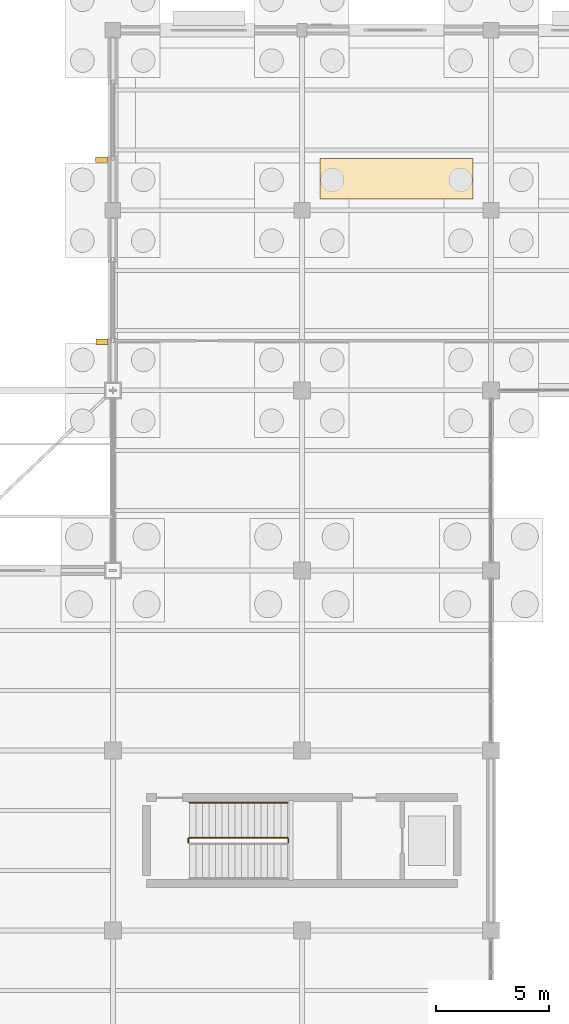
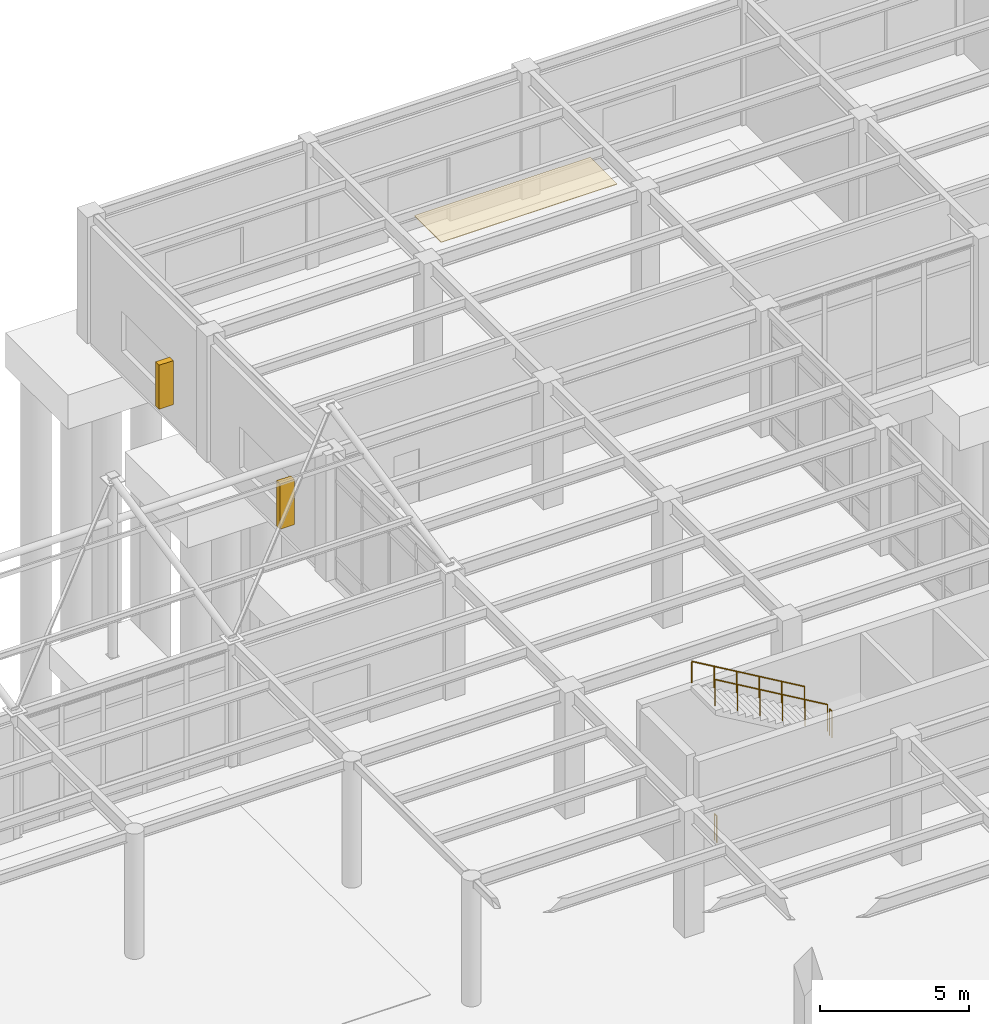
# One storey, part 133 of 138: 4 railings, 2 shading devices, 1 covering.
"""IFC4 building model written with IfcOpenShell, lengths in metres."""

from ifc_helpers import new_model, si_unit, direction, frame, origin, origin_2d, place, context, subcontext, project, spatial, polyline, rectangle, circle, outline, extrude, material, layer, layer_set, type_object, element, save


model = new_model("IFC4")

# Units and contexts
model_context = context("Model", 3, precision=1e-05, world=origin(), true_north=direction((0.0, 1.0)))
body_context = subcontext(model_context, "Body", "Model", "MODEL_VIEW")
ifc_project = project(units=[si_unit("LENGTHUNIT", "METRE"), si_unit("AREAUNIT", "SQUARE_METRE"), si_unit("VOLUMEUNIT", "CUBIC_METRE"), si_unit("PLANEANGLEUNIT", "RADIAN"), si_unit("MASSUNIT", "GRAM", prefix="KILO")], contexts=[model_context])

# Site, building, storey
site_placement = place(None, origin())
site = spatial("IfcSite", under=ifc_project, at=site_placement, CompositionType="ELEMENT")
building_placement = place(site_placement, origin())
building = spatial("IfcBuilding", under=site, at=building_placement, Name="Kranzveld Transit Interchange", CompositionType="ELEMENT")
storey_placement = place(building_placement, origin())
storey = spatial("IfcBuildingStorey", under=building, at=storey_placement, Name="L00", CompositionType="ELEMENT", Elevation=0.0)

# Covering
ifc_material_1 = material(Name="Bronze-anodised thermally broken aluminium", Category="aluminium")
ifc_layer = layer(ifc_material_1, 0.02490234375)
ifc_layer_set = layer_set([ifc_layer], Name="Bronze-anodised thermally broken aluminium")
covering_type = type_object("IfcCoveringType", Name="Acoustic Perforated Ceiling Tile 25", PredefinedType="CEILING", material=ifc_layer_set)
covering_placement = place(storey_placement, frame((0.0, 0.0, 5.125)))
element("IfcCovering", 1, at=covering_placement, inside=storey, type_object=covering_type, Name="Sunny Cafe Acoustic Ceiling", PredefinedType="CEILING", context=body_context, shape_type="SweptSolid", body=[
    extrude(outline(polyline([(110.0, 104.5), (116.800048828125, 104.5), (116.800048828125, 106.300048828125), (110.0, 106.300048828125), (110.0, 104.5)])), origin(), (0.0, 0.0, 1.0), 0.02490234375),
])

# Shading devices
ifc_material_2 = material(Name="Bronze-anodised thermally broken aluminium", Category="aluminium")
shading_device_type = type_object("IfcShadingDeviceType", Name="East-West Deep Clinker Solar Fin", PredefinedType="USERDEFINED", material=ifc_material_2)
shading_device_1_placement = place(storey_placement, frame((100.320068359375, 98.152587890625, 0.824951171875), z_axis=(0.0, 0.0, 1.0), x_axis=(0.0, 1.0, 0.0)))
element("IfcShadingDevice", 2, at=shading_device_1_placement, inside=storey, type_object=shading_device_type, Name="L00 Vertical Solar Fin 13/N", ObjectType="SOLAR FIN", PredefinedType="USERDEFINED", context=body_context, shape_type="SweptSolid", body=[
    extrude(rectangle(XDim=0.239990234375, YDim=0.550048828125, at=origin_2d()), origin(), (0.0, 0.0, 1.0), 1.85009765625),
])
shading_device_2_placement = place(storey_placement, frame((100.304931640625, 106.239990234375, 0.8251953125), z_axis=(0.0, 0.0, 1.0), x_axis=(0.0, 1.0, 0.0)))
element("IfcShadingDevice", 3, at=shading_device_2_placement, inside=storey, type_object=shading_device_type, Name="L00 Vertical Solar Fin 13/P", ObjectType="SOLAR FIN", PredefinedType="USERDEFINED", context=body_context, shape_type="SweptSolid", body=[
    extrude(rectangle(XDim=0.239990234375, YDim=0.550048828125, at=origin_2d()), origin(), (0.0, 0.0, 1.0), 1.800048828125),
])

# Railings
ifc_material_3 = material(Name="Steel S355JR", Category="steel")
railing_type_1 = type_object("IfcRailingType", Name="Stair & Ramp Handrail Steel 900", PredefinedType="HANDRAIL", material=ifc_material_3)
railing_1_placement = place(storey_placement, frame((108.550048828125, 77.679931640625, 2.889892578125)))
element("IfcRailing", 4, at=railing_1_placement, inside=storey, type_object=railing_type_1, Name="L00 ST-V4A stair handrail 2", PredefinedType="HANDRAIL", context=body_context, shape_type="SweptSolid", body=[
    extrude(circle(Radius=0.02392578125, at=origin_2d()), frame((0.0, 0.0, 0.8759765625), z_axis=(-0.862698698498, 0.0, 0.505718257145), x_axis=(0.0, -1.0, 0.0)), (0.0, 0.0, 1.0), 5.04248046875),
    extrude(circle(Radius=0.02099609375, at=origin_2d()), origin(), (0.0, 0.0, 1.0), 0.849853515625),
    extrude(circle(Radius=0.02099609375, at=origin_2d()), frame((-0.8701171875, 0.0, 0.510009765625)), (0.0, 0.0, 1.0), 0.849853515625),
    extrude(circle(Radius=0.02099609375, at=origin_2d()), frame((-1.739990234375, 0.0, 1.02001953125)), (0.0, 0.0, 1.0), 0.849853515625),
    extrude(circle(Radius=0.02099609375, at=origin_2d()), frame((-2.610107421875, 0.0, 1.530029296875)), (0.0, 0.0, 1.0), 0.849853515625),
    extrude(circle(Radius=0.02099609375, at=origin_2d()), frame((-3.47998046875, 0.0, 2.0400390625)), (0.0, 0.0, 1.0), 0.849853515625),
    extrude(circle(Radius=0.02099609375, at=origin_2d()), frame((-4.35009765625, 0.0, 2.550048828125)), (0.0, 0.0, 1.0), 0.849853515625),
])
ifc_material_4 = material(Name="Steel S355JR", Category="steel")
railing_type_2 = type_object("IfcRailingType", Name="Stair Well Guardrail Steel 1100", PredefinedType="GUARDRAIL", material=ifc_material_4)
railing_2_placement = place(storey_placement, frame((108.60009765625, 75.919921875, 2.719970703125)))
element("IfcRailing", 5, at=railing_2_placement, inside=storey, type_object=railing_type_2, Name="L00 ST-V4A stair guard 2", PredefinedType="GUARDRAIL", context=body_context, shape_type="SweptSolid", body=[
    extrude(circle(Radius=0.02392578125, at=origin_2d()), frame((0.0, 0.0, 1.076171875), z_axis=(0.0, 1.0, 0.0), x_axis=(-1.0, 0.0, 0.0)), (0.0, 0.0, 1.0), 0.16015625),
    extrude(circle(Radius=0.02099609375, at=origin_2d()), origin(), (0.0, 0.0, 1.0), 1.050048828125),
    extrude(circle(Radius=0.02099609375, at=origin_2d()), frame((0.0, 0.16015625, 0.0)), (0.0, 0.0, 1.0), 1.050048828125),
])
railing_3_placement = place(storey_placement, frame((108.550048828125, 76.1298828125, 2.889892578125)))
element("IfcRailing", 6, at=railing_3_placement, inside=storey, type_object=railing_type_2, Name="L00 ST-V4A stair guard 3", PredefinedType="GUARDRAIL", context=body_context, shape_type="SweptSolid", body=[
    extrude(circle(Radius=0.02392578125, at=origin_2d()), frame((0.0, 0.0, 1.076171875), z_axis=(-0.862698698498, 0.0, 0.505718257145), x_axis=(0.0, -1.0, 0.0)), (0.0, 0.0, 1.0), 5.04248046875),
    extrude(circle(Radius=0.02099609375, at=origin_2d()), origin(), (0.0, 0.0, 1.0), 1.050048828125),
    extrude(circle(Radius=0.02099609375, at=origin_2d()), frame((-0.8701171875, 0.0, 0.510009765625)), (0.0, 0.0, 1.0), 1.050048828125),
    extrude(circle(Radius=0.02099609375, at=origin_2d()), frame((-1.739990234375, 0.0, 1.02001953125)), (0.0, 0.0, 1.0), 1.050048828125),
    extrude(circle(Radius=0.02099609375, at=origin_2d()), frame((-2.610107421875, 0.0, 1.530029296875)), (0.0, 0.0, 1.0), 1.050048828125),
    extrude(circle(Radius=0.02099609375, at=origin_2d()), frame((-3.47998046875, 0.0, 2.0400390625)), (0.0, 0.0, 1.0), 1.050048828125),
    extrude(circle(Radius=0.02099609375, at=origin_2d()), frame((-4.35009765625, 0.0, 2.550048828125)), (0.0, 0.0, 1.0), 1.050048828125),
])
railing_4_placement = place(storey_placement, frame((104.14990234375, 75.919921875, 0.0)))
element("IfcRailing", 7, at=railing_4_placement, inside=storey, type_object=railing_type_2, Name="L00 ST-V4A stair guard 4", PredefinedType="GUARDRAIL", context=body_context, shape_type="SweptSolid", body=[
    extrude(circle(Radius=0.02392578125, at=origin_2d()), frame((0.0, 0.0, 1.076171875), z_axis=(0.0, 1.0, 0.0), x_axis=(-1.0, 0.0, 0.0)), (0.0, 0.0, 1.0), 0.16015625),
    extrude(circle(Radius=0.02099609375, at=origin_2d()), origin(), (0.0, 0.0, 1.0), 1.050048828125),
    extrude(circle(Radius=0.02099609375, at=origin_2d()), frame((0.0, 0.16015625, 0.0)), (0.0, 0.0, 1.0), 1.050048828125),
])

save(model, "model.ifc")
